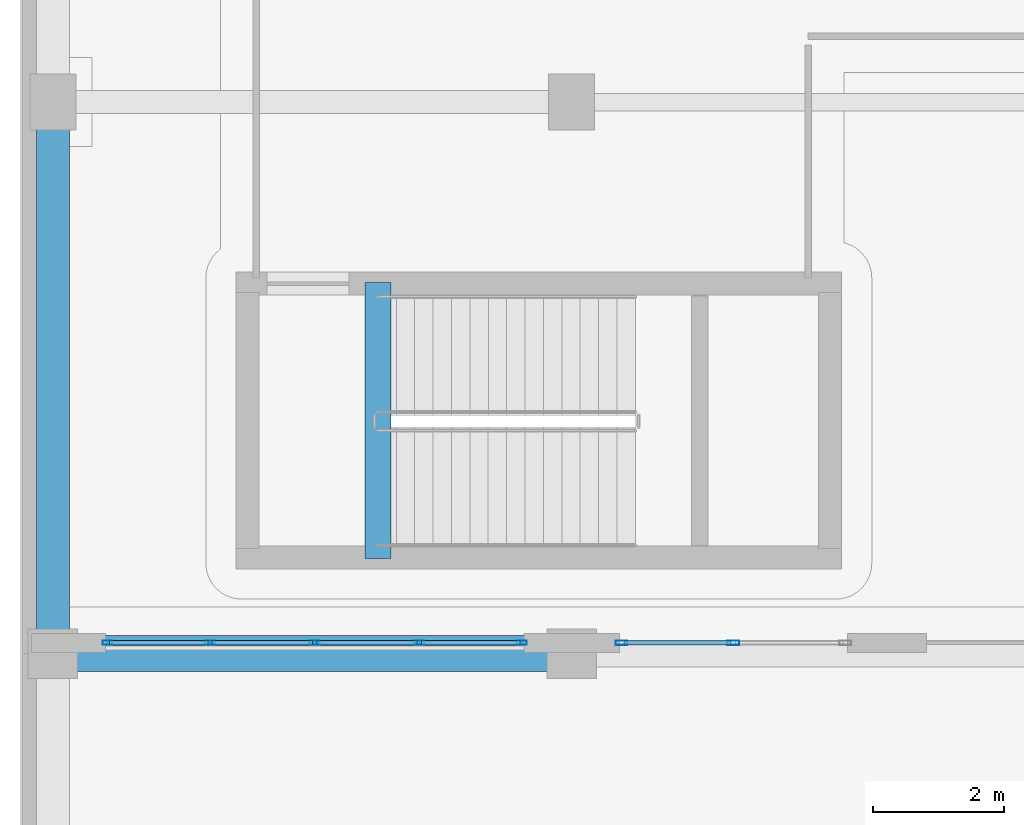
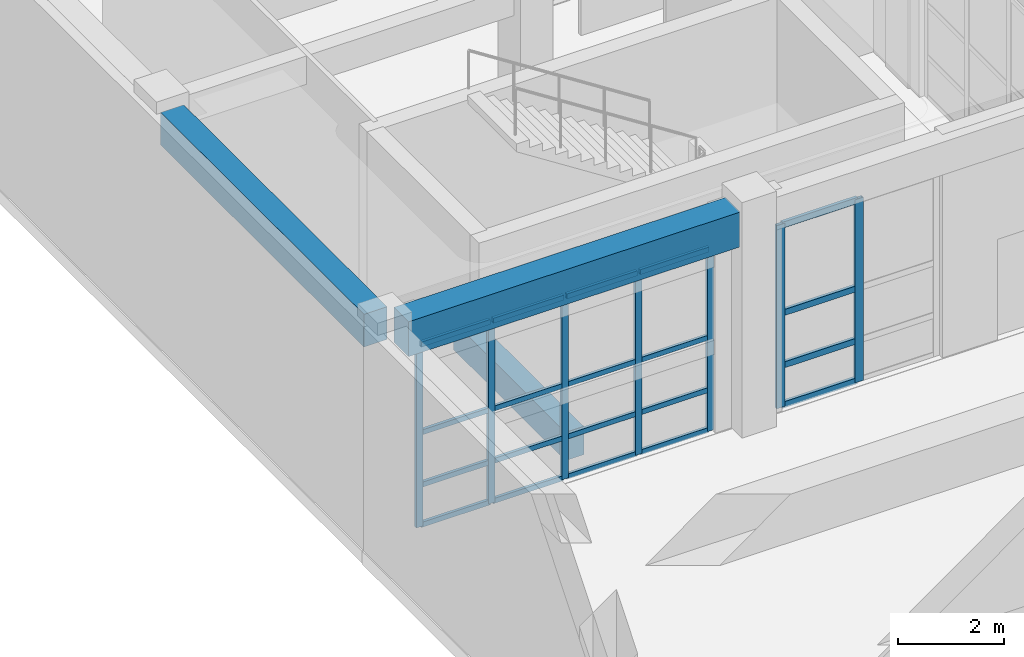
# One storey, part 30 of 148: 27 members, 3 beams, 2 elements without a shape of their own.
"""IFC4 building model written with IfcOpenShell, lengths in metres."""

from ifc_helpers import new_model, si_unit, direction, frame, origin, origin_2d, place, context, subcontext, project, spatial, rectangle, hollow_rectangle, extrude, material, layer, layer_set, material_profile, profile_set, type_object, element, aggregate, save


model = new_model("IFC4")

# Units and contexts
model_context = context("Model", 3, precision=1e-05, world=origin(), true_north=direction((0.0, 1.0)))
body_context = subcontext(model_context, "Body", "Model", "MODEL_VIEW")
ifc_project = project(units=[si_unit("LENGTHUNIT", "METRE"), si_unit("AREAUNIT", "SQUARE_METRE"), si_unit("VOLUMEUNIT", "CUBIC_METRE"), si_unit("PLANEANGLEUNIT", "RADIAN"), si_unit("MASSUNIT", "GRAM", prefix="KILO")], contexts=[model_context])

# Site, building, storey
site_placement = place(None, origin())
site = spatial("IfcSite", under=ifc_project, at=site_placement, CompositionType="ELEMENT")
building_placement = place(site_placement, origin())
building = spatial("IfcBuilding", under=site, at=building_placement, Name="Quendrovan Civic Courthouse", CompositionType="ELEMENT")
storey_placement = place(building_placement, origin())
storey = spatial("IfcBuildingStorey", under=building, at=storey_placement, Name="L01", CompositionType="ELEMENT", Elevation=0.0)

# Beams
ifc_material_1 = material(Name="Concrete C40/50", Category="concrete")
ifc_material_profile_1 = material_profile(ifc_material_1, rectangle(XDim=0.39990234375, YDim=0.64990234375, at=origin_2d()), Name="RC-BM-400x650")
ifc_profile_set_1 = profile_set([ifc_material_profile_1], Name="Concrete C40/50")
beam_type_1 = type_object("IfcBeamType", Name="BM-RC650", PredefinedType="JOIST", material=ifc_profile_set_1)
beam_1_placement = place(storey_placement, frame((5.449951171875, 57.85009765625, -0.324951171875), z_axis=(0.0, 1.0, 0.0), x_axis=(-1.0, 0.0, 0.0)))
element("IfcBeam", 1, at=beam_1_placement, inside=storey, type_object=beam_type_1, Name="L01 Stair ST4 Landing Trimmer Beam", PredefinedType="JOIST", context=body_context, shape_type="SweptSolid", body=[
    extrude(rectangle(XDim=0.39990234375, YDim=0.64990234375, at=origin_2d()), origin(), (0.0, 0.0, 1.0), 4.199951171875),
])
ifc_material_profile_2 = material_profile(ifc_material_1, rectangle(XDim=0.5, YDim=0.75, at=origin_2d()), Name="RC-BM-500x750")
ifc_profile_set_2 = profile_set([ifc_material_profile_2], Name="Concrete C40/50")
beam_type_2 = type_object("IfcBeamType", Name="BM-RC750", PredefinedType="SPANDREL", material=ifc_profile_set_2)
beam_2_placement = place(storey_placement, frame((0.5, 56.7548828125, 4.7451171875), z_axis=(0.0, 1.0, 0.0), x_axis=(-1.0, 0.0, 0.0)))
element("IfcBeam", 2, at=beam_2_placement, inside=storey, type_object=beam_type_2, Name="L01 Girder Y0377", PredefinedType="SPANDREL", context=body_context, shape_type="SweptSolid", body=[
    extrude(rectangle(XDim=0.5, YDim=0.75, at=origin_2d()), origin(), (0.0, 0.0, 1.0), 7.64013671875),
])
ifc_material_profile_3 = material_profile(ifc_material_1, rectangle(XDim=0.550048828125, YDim=0.800048828125, at=origin_2d()), Name="RC-BM-550x800")
ifc_profile_set_3 = profile_set([ifc_material_profile_3], Name="Concrete C40/50")
beam_type_3 = type_object("IfcBeamType", Name="BM-RC800", PredefinedType="BEAM", material=ifc_profile_set_3)
beam_3_placement = place(storey_placement, frame((0.85498046875, 56.39990234375, 4.719970703125), z_axis=(1.0, 0.0, 0.0), x_axis=(0.0, 1.0, 0.0)))
element("IfcBeam", 3, at=beam_3_placement, inside=storey, type_object=beam_type_3, Name="L01 Girder X0283", PredefinedType="BEAM", context=body_context, shape_type="SweptSolid", body=[
    extrude(rectangle(XDim=0.550048828125, YDim=0.800048828125, at=origin_2d()), origin(), (0.0, 0.0, 1.0), 7.18994140625),
])

# Curtain wall, members
ifc_material_2 = material(Name="Bronze anodised aluminium and low-E glass", Category="aluminium")
ifc_layer_1 = layer(ifc_material_2, 0.179931640625, Name="Bronze anodised aluminium and low-E glass")
ifc_layer_set_1 = layer_set([ifc_layer_1], Name="Bronze anodised aluminium and low-E glass")
curtain_wall_type_1 = type_object("IfcCurtainWallType", Name="CW-U35x42", PredefinedType="USERDEFINED", material=ifc_layer_set_1)
curtain_wall_1_placement = place(storey_placement, origin())
curtain_wall_1 = element("IfcCurtainWall", 4, at=curtain_wall_1_placement, inside=storey, type_object=curtain_wall_type_1, Name="L01 Unitised Hurricane Curtain Wall CW-014", ObjectType="UNITISED CURTAIN WALL", PredefinedType="USERDEFINED")
ifc_material_3 = material(Name="Bronze anodised aluminium", Category="aluminium")
ifc_material_profile_4 = material_profile(ifc_material_3, hollow_rectangle(XDim=0.070068359375, YDim=0.179931640625, WallThickness=0.00390625, at=origin_2d()), Name="CW-MULL-70x180")
ifc_profile_set_4 = profile_set([ifc_material_profile_4], Name="Bronze anodised aluminium")
member_type_1 = type_object("IfcMemberType", Name="CW-MULL-A", PredefinedType="MULLION", material=ifc_profile_set_4)
member_1_placement = place(storey_placement, frame((10.862548828125, 56.56494140625, 0.0), z_axis=(0.0, 0.0, 1.0), x_axis=(0.0, -1.0, 0.0)))
member_1 = element("IfcMember", 5, at=member_1_placement, type_object=member_type_1, Name="CW-014 mullion 2", PredefinedType="MULLION", context=body_context, shape_type="SweptSolid", body=[
    extrude(hollow_rectangle(XDim=0.070068359375, YDim=0.179931640625, WallThickness=0.00390625, at=origin_2d()), origin(), (0.0, 0.0, 1.0), 4.199951171875),
])
member_2_placement = place(storey_placement, frame((9.159912109375, 56.56494140625, 0.0), z_axis=(0.0, 0.0, 1.0), x_axis=(0.0, -1.0, 0.0)))
member_2 = element("IfcMember", 6, at=member_2_placement, type_object=member_type_1, Name="CW-014 mullion 3", PredefinedType="MULLION", context=body_context, shape_type="SweptSolid", body=[
    extrude(hollow_rectangle(XDim=0.070068359375, YDim=0.179931640625, WallThickness=0.00390625, at=origin_2d()), origin(), (0.0, 0.0, 1.0), 4.199951171875),
])

ifc_layer_2 = layer(ifc_material_2, 0.179931640625, Name="Bronze anodised aluminium and low-E glass")
ifc_layer_set_2 = layer_set([ifc_layer_2], Name="Bronze anodised aluminium and low-E glass")
curtain_wall_type_2 = type_object("IfcCurtainWallType", Name="CW-U64x42", PredefinedType="USERDEFINED", material=ifc_layer_set_2)
curtain_wall_2_placement = place(storey_placement, origin())
curtain_wall_2 = element("IfcCurtainWall", 7, at=curtain_wall_2_placement, inside=storey, type_object=curtain_wall_type_2, Name="L01 Unitised Hurricane Curtain Wall CW-015", ObjectType="UNITISED CURTAIN WALL", PredefinedType="USERDEFINED")
ifc_material_profile_5 = material_profile(ifc_material_3, hollow_rectangle(XDim=0.06494140625, YDim=0.14990234375, WallThickness=0.00390625, at=origin_2d()), Name="CW-MULL-65x150")
ifc_profile_set_5 = profile_set([ifc_material_profile_5], Name="Bronze anodised aluminium")
member_type_2 = type_object("IfcMemberType", Name="CW-MULL-B", PredefinedType="MULLION", material=ifc_profile_set_5)
member_3_placement = place(storey_placement, frame((7.642578125, 56.56494140625, 0.0), z_axis=(0.0, 0.0, 1.0), x_axis=(0.0, -1.0, 0.0)))
member_3 = element("IfcMember", 8, at=member_3_placement, type_object=member_type_2, Name="CW-015 mullion 1", PredefinedType="MULLION", context=body_context, shape_type="SweptSolid", body=[
    extrude(hollow_rectangle(XDim=0.06494140625, YDim=0.14990234375, WallThickness=0.00390625, at=origin_2d()), origin(), (0.0, 0.0, 1.0), 4.199951171875),
])
member_4_placement = place(storey_placement, frame((6.081298828125, 56.56494140625, 0.0), z_axis=(0.0, 0.0, 1.0), x_axis=(0.0, -1.0, 0.0)))
member_4 = element("IfcMember", 9, at=member_4_placement, type_object=member_type_2, Name="CW-015 mullion 2", PredefinedType="MULLION", context=body_context, shape_type="SweptSolid", body=[
    extrude(hollow_rectangle(XDim=0.06494140625, YDim=0.14990234375, WallThickness=0.00390625, at=origin_2d()), origin(), (0.0, 0.0, 1.0), 4.199951171875),
])
member_5_placement = place(storey_placement, frame((4.487548828125, 56.56494140625, 0.0), z_axis=(0.0, 0.0, 1.0), x_axis=(0.0, -1.0, 0.0)))
member_5 = element("IfcMember", 10, at=member_5_placement, type_object=member_type_2, Name="CW-015 mullion 3", PredefinedType="MULLION", context=body_context, shape_type="SweptSolid", body=[
    extrude(hollow_rectangle(XDim=0.06494140625, YDim=0.14990234375, WallThickness=0.00390625, at=origin_2d()), origin(), (0.0, 0.0, 1.0), 4.199951171875),
])
member_6_placement = place(storey_placement, frame((2.893798828125, 56.56494140625, 0.0), z_axis=(0.0, 0.0, 1.0), x_axis=(0.0, -1.0, 0.0)))
member_6 = element("IfcMember", 11, at=member_6_placement, type_object=member_type_2, Name="CW-015 mullion 4", PredefinedType="MULLION", context=body_context, shape_type="SweptSolid", body=[
    extrude(hollow_rectangle(XDim=0.06494140625, YDim=0.14990234375, WallThickness=0.00390625, at=origin_2d()), origin(), (0.0, 0.0, 1.0), 4.199951171875),
])
member_7_placement = place(storey_placement, frame((1.33251953125, 56.56494140625, 0.0), z_axis=(0.0, 0.0, 1.0), x_axis=(0.0, -1.0, 0.0)))
member_7 = element("IfcMember", 12, at=member_7_placement, type_object=member_type_2, Name="CW-015 mullion 5", PredefinedType="MULLION", context=body_context, shape_type="SweptSolid", body=[
    extrude(hollow_rectangle(XDim=0.06494140625, YDim=0.14990234375, WallThickness=0.00390625, at=origin_2d()), origin(), (0.0, 0.0, 1.0), 4.199951171875),
])

# Member
ifc_material_profile_6 = material_profile(ifc_material_3, hollow_rectangle(XDim=0.070068359375, YDim=0.139892578125, WallThickness=0.00390625, at=origin_2d()), Name="CW-TRAN-70x140")
ifc_profile_set_6 = profile_set([ifc_material_profile_6], Name="Bronze anodised aluminium")
member_type_3 = type_object("IfcMemberType", Name="CW-TRAN-A", PredefinedType="USERDEFINED", material=ifc_profile_set_6)
member_8_placement = place(storey_placement, frame((10.827392578125, 56.56494140625, 0.034912109375), z_axis=(-1.0, 0.0, 0.0), x_axis=(0.0, -1.0, 0.0)))
member_8 = element("IfcMember", 13, at=member_8_placement, type_object=member_type_3, Name="CW-014 transom 2.1", ObjectType="TRANSOM", PredefinedType="USERDEFINED", context=body_context, shape_type="SweptSolid", body=[
    extrude(hollow_rectangle(XDim=0.070068359375, YDim=0.139892578125, WallThickness=0.00390625, at=origin_2d()), origin(), (0.0, 0.0, 1.0), 1.63232421875),
])

member_9_placement = place(storey_placement, frame((10.827392578125, 56.56494140625, 0.949951171875), z_axis=(-1.0, 0.0, 0.0), x_axis=(0.0, -1.0, 0.0)))
member_9 = element("IfcMember", 14, at=member_9_placement, type_object=member_type_3, Name="CW-014 transom 2.2", ObjectType="TRANSOM", PredefinedType="USERDEFINED", context=body_context, shape_type="SweptSolid", body=[
    extrude(hollow_rectangle(XDim=0.070068359375, YDim=0.139892578125, WallThickness=0.00390625, at=origin_2d()), origin(), (0.0, 0.0, 1.0), 1.63232421875),
])

member_10_placement = place(storey_placement, frame((10.827392578125, 56.56494140625, 2.14990234375), z_axis=(-1.0, 0.0, 0.0), x_axis=(0.0, -1.0, 0.0)))
member_10 = element("IfcMember", 15, at=member_10_placement, type_object=member_type_3, Name="CW-014 transom 2.3", ObjectType="TRANSOM", PredefinedType="USERDEFINED", context=body_context, shape_type="SweptSolid", body=[
    extrude(hollow_rectangle(XDim=0.070068359375, YDim=0.139892578125, WallThickness=0.00390625, at=origin_2d()), origin(), (0.0, 0.0, 1.0), 1.63232421875),
])

member_11_placement = place(storey_placement, frame((10.827392578125, 56.56494140625, 4.1650390625), z_axis=(-1.0, 0.0, 0.0), x_axis=(0.0, -1.0, 0.0)))
member_11 = element("IfcMember", 16, at=member_11_placement, type_object=member_type_3, Name="CW-014 transom 2.4", ObjectType="TRANSOM", PredefinedType="USERDEFINED", context=body_context, shape_type="SweptSolid", body=[
    extrude(hollow_rectangle(XDim=0.070068359375, YDim=0.139892578125, WallThickness=0.00390625, at=origin_2d()), origin(), (0.0, 0.0, 1.0), 1.63232421875),
])

aggregate(curtain_wall_1, [member_1, member_2, member_8, member_9, member_10, member_11])

ifc_material_profile_7 = material_profile(ifc_material_3, hollow_rectangle(XDim=0.06494140625, YDim=0.114990234375, WallThickness=0.00390625, at=origin_2d()), Name="CW-TRAN-65x115")
ifc_profile_set_7 = profile_set([ifc_material_profile_7], Name="Bronze anodised aluminium")
member_type_4 = type_object("IfcMemberType", Name="CW-TRAN-B", PredefinedType="USERDEFINED", material=ifc_profile_set_7)
member_12_placement = place(storey_placement, frame((7.610107421875, 56.56494140625, 0.032470703125), z_axis=(-1.0, 0.0, 0.0), x_axis=(0.0, -1.0, 0.0)))
member_12 = element("IfcMember", 17, at=member_12_placement, type_object=member_type_4, Name="CW-015 transom 1.1", ObjectType="TRANSOM", PredefinedType="USERDEFINED", context=body_context, shape_type="SweptSolid", body=[
    extrude(hollow_rectangle(XDim=0.06494140625, YDim=0.114990234375, WallThickness=0.00390625, at=origin_2d()), origin(), (0.0, 0.0, 1.0), 1.496337890625),
])

member_13_placement = place(storey_placement, frame((7.610107421875, 56.56494140625, 0.949951171875), z_axis=(-1.0, 0.0, 0.0), x_axis=(0.0, -1.0, 0.0)))
member_13 = element("IfcMember", 18, at=member_13_placement, type_object=member_type_4, Name="CW-015 transom 1.2", ObjectType="TRANSOM", PredefinedType="USERDEFINED", context=body_context, shape_type="SweptSolid", body=[
    extrude(hollow_rectangle(XDim=0.06494140625, YDim=0.114990234375, WallThickness=0.00390625, at=origin_2d()), origin(), (0.0, 0.0, 1.0), 1.496337890625),
])

member_14_placement = place(storey_placement, frame((7.610107421875, 56.56494140625, 2.14990234375), z_axis=(-1.0, 0.0, 0.0), x_axis=(0.0, -1.0, 0.0)))
member_14 = element("IfcMember", 19, at=member_14_placement, type_object=member_type_4, Name="CW-015 transom 1.3", ObjectType="TRANSOM", PredefinedType="USERDEFINED", context=body_context, shape_type="SweptSolid", body=[
    extrude(hollow_rectangle(XDim=0.06494140625, YDim=0.114990234375, WallThickness=0.00390625, at=origin_2d()), origin(), (0.0, 0.0, 1.0), 1.496337890625),
])

member_15_placement = place(storey_placement, frame((7.610107421875, 56.56494140625, 4.16748046875), z_axis=(-1.0, 0.0, 0.0), x_axis=(0.0, -1.0, 0.0)))
member_15 = element("IfcMember", 20, at=member_15_placement, type_object=member_type_4, Name="CW-015 transom 1.4", ObjectType="TRANSOM", PredefinedType="USERDEFINED", context=body_context, shape_type="SweptSolid", body=[
    extrude(hollow_rectangle(XDim=0.06494140625, YDim=0.114990234375, WallThickness=0.00390625, at=origin_2d()), origin(), (0.0, 0.0, 1.0), 1.496337890625),
])

member_16_placement = place(storey_placement, frame((6.048828125, 56.56494140625, 0.032470703125), z_axis=(-1.0, 0.0, 0.0), x_axis=(0.0, -1.0, 0.0)))
member_16 = element("IfcMember", 21, at=member_16_placement, type_object=member_type_4, Name="CW-015 transom 2.1", ObjectType="TRANSOM", PredefinedType="USERDEFINED", context=body_context, shape_type="SweptSolid", body=[
    extrude(hollow_rectangle(XDim=0.06494140625, YDim=0.114990234375, WallThickness=0.00390625, at=origin_2d()), origin(), (0.0, 0.0, 1.0), 1.52880859375),
])

member_17_placement = place(storey_placement, frame((6.048828125, 56.56494140625, 0.949951171875), z_axis=(-1.0, 0.0, 0.0), x_axis=(0.0, -1.0, 0.0)))
member_17 = element("IfcMember", 22, at=member_17_placement, type_object=member_type_4, Name="CW-015 transom 2.2", ObjectType="TRANSOM", PredefinedType="USERDEFINED", context=body_context, shape_type="SweptSolid", body=[
    extrude(hollow_rectangle(XDim=0.06494140625, YDim=0.114990234375, WallThickness=0.00390625, at=origin_2d()), origin(), (0.0, 0.0, 1.0), 1.52880859375),
])

member_18_placement = place(storey_placement, frame((6.048828125, 56.56494140625, 2.14990234375), z_axis=(-1.0, 0.0, 0.0), x_axis=(0.0, -1.0, 0.0)))
member_18 = element("IfcMember", 23, at=member_18_placement, type_object=member_type_4, Name="CW-015 transom 2.3", ObjectType="TRANSOM", PredefinedType="USERDEFINED", context=body_context, shape_type="SweptSolid", body=[
    extrude(hollow_rectangle(XDim=0.06494140625, YDim=0.114990234375, WallThickness=0.00390625, at=origin_2d()), origin(), (0.0, 0.0, 1.0), 1.52880859375),
])

member_19_placement = place(storey_placement, frame((6.048828125, 56.56494140625, 4.16748046875), z_axis=(-1.0, 0.0, 0.0), x_axis=(0.0, -1.0, 0.0)))
member_19 = element("IfcMember", 24, at=member_19_placement, type_object=member_type_4, Name="CW-015 transom 2.4", ObjectType="TRANSOM", PredefinedType="USERDEFINED", context=body_context, shape_type="SweptSolid", body=[
    extrude(hollow_rectangle(XDim=0.06494140625, YDim=0.114990234375, WallThickness=0.00390625, at=origin_2d()), origin(), (0.0, 0.0, 1.0), 1.52880859375),
])

member_20_placement = place(storey_placement, frame((4.455078125, 56.56494140625, 0.032470703125), z_axis=(-1.0, 0.0, 0.0), x_axis=(0.0, -1.0, 0.0)))
member_20 = element("IfcMember", 25, at=member_20_placement, type_object=member_type_4, Name="CW-015 transom 3.1", ObjectType="TRANSOM", PredefinedType="USERDEFINED", context=body_context, shape_type="SweptSolid", body=[
    extrude(hollow_rectangle(XDim=0.06494140625, YDim=0.114990234375, WallThickness=0.00390625, at=origin_2d()), origin(), (0.0, 0.0, 1.0), 1.52880859375),
])

member_21_placement = place(storey_placement, frame((4.455078125, 56.56494140625, 0.949951171875), z_axis=(-1.0, 0.0, 0.0), x_axis=(0.0, -1.0, 0.0)))
member_21 = element("IfcMember", 26, at=member_21_placement, type_object=member_type_4, Name="CW-015 transom 3.2", ObjectType="TRANSOM", PredefinedType="USERDEFINED", context=body_context, shape_type="SweptSolid", body=[
    extrude(hollow_rectangle(XDim=0.06494140625, YDim=0.114990234375, WallThickness=0.00390625, at=origin_2d()), origin(), (0.0, 0.0, 1.0), 1.52880859375),
])

member_22_placement = place(storey_placement, frame((4.455078125, 56.56494140625, 2.14990234375), z_axis=(-1.0, 0.0, 0.0), x_axis=(0.0, -1.0, 0.0)))
member_22 = element("IfcMember", 27, at=member_22_placement, type_object=member_type_4, Name="CW-015 transom 3.3", ObjectType="TRANSOM", PredefinedType="USERDEFINED", context=body_context, shape_type="SweptSolid", body=[
    extrude(hollow_rectangle(XDim=0.06494140625, YDim=0.114990234375, WallThickness=0.00390625, at=origin_2d()), origin(), (0.0, 0.0, 1.0), 1.52880859375),
])

member_23_placement = place(storey_placement, frame((4.455078125, 56.56494140625, 4.16748046875), z_axis=(-1.0, 0.0, 0.0), x_axis=(0.0, -1.0, 0.0)))
member_23 = element("IfcMember", 28, at=member_23_placement, type_object=member_type_4, Name="CW-015 transom 3.4", ObjectType="TRANSOM", PredefinedType="USERDEFINED", context=body_context, shape_type="SweptSolid", body=[
    extrude(hollow_rectangle(XDim=0.06494140625, YDim=0.114990234375, WallThickness=0.00390625, at=origin_2d()), origin(), (0.0, 0.0, 1.0), 1.52880859375),
])

member_24_placement = place(storey_placement, frame((2.861328125, 56.56494140625, 0.032470703125), z_axis=(-1.0, 0.0, 0.0), x_axis=(0.0, -1.0, 0.0)))
member_24 = element("IfcMember", 29, at=member_24_placement, type_object=member_type_4, Name="CW-015 transom 4.1", ObjectType="TRANSOM", PredefinedType="USERDEFINED", context=body_context, shape_type="SweptSolid", body=[
    extrude(hollow_rectangle(XDim=0.06494140625, YDim=0.114990234375, WallThickness=0.00390625, at=origin_2d()), origin(), (0.0, 0.0, 1.0), 1.496337890625),
])

member_25_placement = place(storey_placement, frame((2.861328125, 56.56494140625, 0.949951171875), z_axis=(-1.0, 0.0, 0.0), x_axis=(0.0, -1.0, 0.0)))
member_25 = element("IfcMember", 30, at=member_25_placement, type_object=member_type_4, Name="CW-015 transom 4.2", ObjectType="TRANSOM", PredefinedType="USERDEFINED", context=body_context, shape_type="SweptSolid", body=[
    extrude(hollow_rectangle(XDim=0.06494140625, YDim=0.114990234375, WallThickness=0.00390625, at=origin_2d()), origin(), (0.0, 0.0, 1.0), 1.496337890625),
])

member_26_placement = place(storey_placement, frame((2.861328125, 56.56494140625, 2.14990234375), z_axis=(-1.0, 0.0, 0.0), x_axis=(0.0, -1.0, 0.0)))
member_26 = element("IfcMember", 31, at=member_26_placement, type_object=member_type_4, Name="CW-015 transom 4.3", ObjectType="TRANSOM", PredefinedType="USERDEFINED", context=body_context, shape_type="SweptSolid", body=[
    extrude(hollow_rectangle(XDim=0.06494140625, YDim=0.114990234375, WallThickness=0.00390625, at=origin_2d()), origin(), (0.0, 0.0, 1.0), 1.496337890625),
])

member_27_placement = place(storey_placement, frame((2.861328125, 56.56494140625, 4.16748046875), z_axis=(-1.0, 0.0, 0.0), x_axis=(0.0, -1.0, 0.0)))
member_27 = element("IfcMember", 32, at=member_27_placement, type_object=member_type_4, Name="CW-015 transom 4.4", ObjectType="TRANSOM", PredefinedType="USERDEFINED", context=body_context, shape_type="SweptSolid", body=[
    extrude(hollow_rectangle(XDim=0.06494140625, YDim=0.114990234375, WallThickness=0.00390625, at=origin_2d()), origin(), (0.0, 0.0, 1.0), 1.496337890625),
])

aggregate(curtain_wall_2, [member_3, member_4, member_5, member_6, member_7, member_12, member_13, member_14, member_15, member_16, member_17, member_18, member_19, member_20, member_21, member_22, member_23, member_24, member_25, member_26, member_27])

save(model, "model.ifc")
